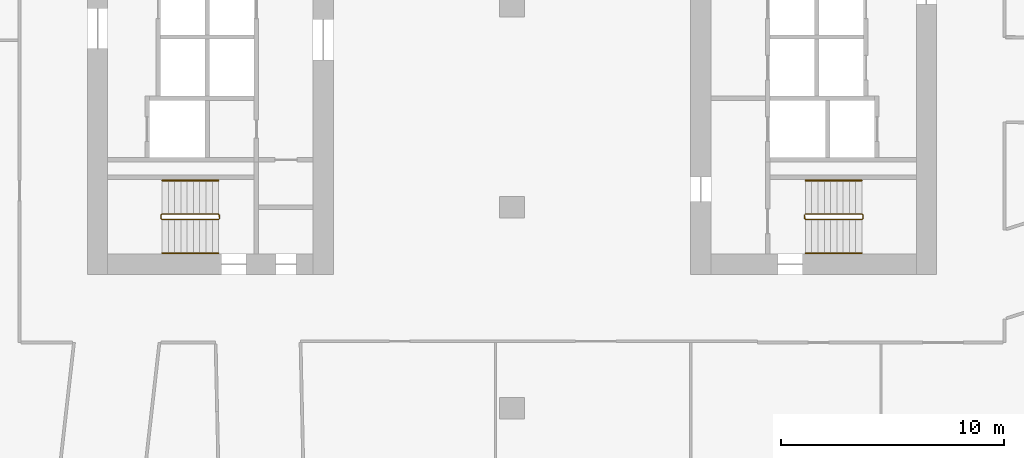
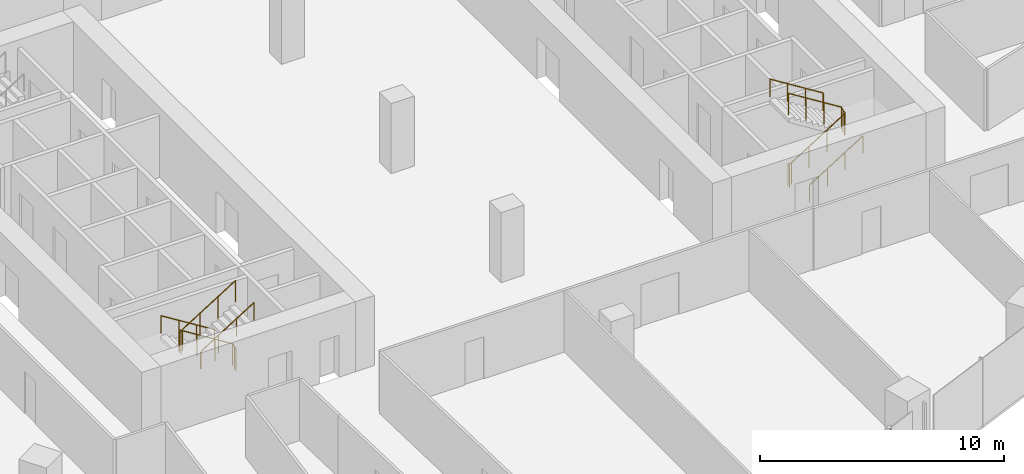
# One storey, part 32 of 34: 6 railings.
"""IFC4 building model written with IfcOpenShell, lengths in metres."""

from ifc_helpers import new_model, si_unit, direction, frame, origin, origin_2d, place, context, subcontext, project, spatial, circle, extrude, material, type_object, element, save


model = new_model("IFC4")

# Units and contexts
model_context = context("Model", 3, precision=1e-05, world=origin(), true_north=direction((0.0, 1.0)))
body_context = subcontext(model_context, "Body", "Model", "MODEL_VIEW")
ifc_project = project(units=[si_unit("LENGTHUNIT", "METRE"), si_unit("AREAUNIT", "SQUARE_METRE"), si_unit("VOLUMEUNIT", "CUBIC_METRE"), si_unit("PLANEANGLEUNIT", "RADIAN"), si_unit("MASSUNIT", "GRAM", prefix="KILO")], contexts=[model_context])

# Site, building, storey
site_placement = place(None, origin())
site = spatial("IfcSite", under=ifc_project, at=site_placement, CompositionType="ELEMENT")
building_placement = place(site_placement, origin())
building = spatial("IfcBuilding", under=site, at=building_placement, Name="Orlundy Tower", CompositionType="ELEMENT")
storey_placement = place(building_placement, frame((0.0, 0.0, 112.699951171875)))
storey = spatial("IfcBuildingStorey", under=building, at=storey_placement, Name="L28", CompositionType="ELEMENT", Elevation=112.699951171875)

# Railings
ifc_material_1 = material(Name="Steel balustrade", Category="steel")
railing_type_1 = type_object("IfcRailingType", Name="Stair Guard 1100", PredefinedType="GUARDRAIL", material=ifc_material_1)
railing_1_placement = place(storey_placement, frame((-13.090087890625, -9.35009765625, 0.0)))
element("IfcRailing", 1, at=railing_1_placement, inside=storey, type_object=railing_type_1, Name="L28 ST-W2 stair guard 1", PredefinedType="GUARDRAIL", context=body_context, shape_type="SweptSolid", body=[
    extrude(circle(Radius=0.02392578125, at=origin_2d()), frame((0.0, 0.0, 1.076171875), z_axis=(0.0, -1.0, 0.0), x_axis=(1.0, 0.0, 0.0)), (0.0, 0.0, 1.0), 0.14990234375),
    extrude(circle(Radius=0.02392578125, at=origin_2d()), frame((0.0, -0.14990234375, 1.076171875), z_axis=(-0.18420542264, 0.739530593833, 0.647427882513), x_axis=(-0.970351222016, -0.241699205484, 0.0)), (0.0, 0.0, 1.0), 0.270263671875),
    extrude(circle(Radius=0.02392578125, at=origin_2d()), frame((-0.0498046875, 0.050048828125, 1.2509765625), z_axis=(-0.848007534815, 0.0, 0.529984170421), x_axis=(0.0, -1.0, 0.0)), (0.0, 0.0, 1.0), 2.9716796875),
    extrude(circle(Radius=0.02392578125, at=origin_2d()), frame((-2.56982421875, 0.050048828125, 2.826171875), z_axis=(-0.707106781187, -0.707106781187, 0.0), x_axis=(0.707106781187, -0.707106781187, 0.0)), (0.0, 0.0, 1.0), 0.07080078125),
    extrude(circle(Radius=0.02392578125, at=origin_2d()), frame((-2.619873046875, 0.0, 2.826171875), z_axis=(0.0, -1.0, 0.0), x_axis=(1.0, 0.0, 0.0)), (0.0, 0.0, 1.0), 0.14990234375),
    extrude(circle(Radius=0.02392578125, at=origin_2d()), frame((-2.619873046875, -0.14990234375, 2.826171875), z_axis=(0.265065253269, -0.265065253269, 0.927081885822), x_axis=(0.707106781187, 0.707106781187, 0.0)), (0.0, 0.0, 1.0), 0.188720703125),
    extrude(circle(Radius=0.02392578125, at=origin_2d()), frame((-2.56982421875, -0.199951171875, 3.0009765625), z_axis=(0.848007534815, 0.0, 0.529984170421), x_axis=(0.0, 1.0, 0.0)), (0.0, 0.0, 1.0), 2.9716796875),
    extrude(circle(Radius=0.02099609375, at=origin_2d()), origin(), (0.0, 0.0, 1.0), 1.052001953125),
    extrude(circle(Radius=0.02099609375, at=origin_2d()), frame((0.0, -0.14990234375, 0.0)), (0.0, 0.0, 1.0), 1.052001953125),
    extrude(circle(Radius=0.02099609375, at=origin_2d()), frame((-0.0498046875, 0.050048828125, 0.175048828125)), (0.0, 0.0, 1.0), 1.052001953125),
    extrude(circle(Radius=0.02099609375, at=origin_2d()), frame((-0.889892578125, 0.050048828125, 0.699951171875)), (0.0, 0.0, 1.0), 1.052001953125),
    extrude(circle(Radius=0.02099609375, at=origin_2d()), frame((-1.729736328125, 0.050048828125, 1.22509765625)), (0.0, 0.0, 1.0), 1.052001953125),
    extrude(circle(Radius=0.02099609375, at=origin_2d()), frame((-2.56982421875, 0.050048828125, 1.75)), (0.0, 0.0, 1.0), 1.052001953125),
    extrude(circle(Radius=0.02099609375, at=origin_2d()), frame((-2.619873046875, 0.0, 1.75)), (0.0, 0.0, 1.0), 1.052001953125),
    extrude(circle(Radius=0.02099609375, at=origin_2d()), frame((-2.619873046875, -0.14990234375, 1.75)), (0.0, 0.0, 1.0), 1.052001953125),
    extrude(circle(Radius=0.02099609375, at=origin_2d()), frame((-2.56982421875, -0.199951171875, 1.925048828125)), (0.0, 0.0, 1.0), 1.052001953125),
    extrude(circle(Radius=0.02099609375, at=origin_2d()), frame((-1.729736328125, -0.199951171875, 2.449951171875)), (0.0, 0.0, 1.0), 1.052001953125),
    extrude(circle(Radius=0.02099609375, at=origin_2d()), frame((-0.889892578125, -0.199951171875, 2.97509765625)), (0.0, 0.0, 1.0), 1.052001953125),
    extrude(circle(Radius=0.02099609375, at=origin_2d()), frame((-0.0498046875, -0.199951171875, 3.5)), (0.0, 0.0, 1.0), 1.052001953125),
])
railing_2_placement = place(storey_placement, frame((13.090087890625, -9.5, 0.0)))
element("IfcRailing", 2, at=railing_2_placement, inside=storey, type_object=railing_type_1, Name="L28 ST-E1 stair guard 1", PredefinedType="GUARDRAIL", context=body_context, shape_type="SweptSolid", body=[
    extrude(circle(Radius=0.02392578125, at=origin_2d()), frame((0.0, 0.0, 1.076171875), z_axis=(0.0, 1.0, 0.0), x_axis=(-1.0, 0.0, 0.0)), (0.0, 0.0, 1.0), 0.14990234375),
    extrude(circle(Radius=0.02392578125, at=origin_2d()), frame((0.0, 0.14990234375, 1.076171875), z_axis=(0.18420542264, -0.739530593833, 0.647427882513), x_axis=(0.970351222016, 0.241699205484, 0.0)), (0.0, 0.0, 1.0), 0.270263671875),
    extrude(circle(Radius=0.02392578125, at=origin_2d()), frame((0.0498046875, -0.050048828125, 1.2509765625), z_axis=(0.848007534815, 0.0, 0.529984170421), x_axis=(0.0, 1.0, 0.0)), (0.0, 0.0, 1.0), 2.9716796875),
    extrude(circle(Radius=0.02392578125, at=origin_2d()), frame((2.56982421875, -0.050048828125, 2.826171875), z_axis=(0.707106781187, 0.707106781187, 0.0), x_axis=(-0.707106781187, 0.707106781187, 0.0)), (0.0, 0.0, 1.0), 0.07080078125),
    extrude(circle(Radius=0.02392578125, at=origin_2d()), frame((2.619873046875, 0.0, 2.826171875), z_axis=(0.0, 1.0, 0.0), x_axis=(-1.0, 0.0, 0.0)), (0.0, 0.0, 1.0), 0.14990234375),
    extrude(circle(Radius=0.02392578125, at=origin_2d()), frame((2.619873046875, 0.14990234375, 2.826171875), z_axis=(-0.265065253269, 0.265065253269, 0.927081885822), x_axis=(-0.707106781187, -0.707106781187, 0.0)), (0.0, 0.0, 1.0), 0.188720703125),
    extrude(circle(Radius=0.02392578125, at=origin_2d()), frame((2.56982421875, 0.199951171875, 3.0009765625), z_axis=(-0.848007534815, 0.0, 0.529984170421), x_axis=(0.0, -1.0, 0.0)), (0.0, 0.0, 1.0), 2.9716796875),
    extrude(circle(Radius=0.02099609375, at=origin_2d()), origin(), (0.0, 0.0, 1.0), 1.052001953125),
    extrude(circle(Radius=0.02099609375, at=origin_2d()), frame((0.0, 0.14990234375, 0.0)), (0.0, 0.0, 1.0), 1.052001953125),
    extrude(circle(Radius=0.02099609375, at=origin_2d()), frame((0.0498046875, -0.050048828125, 0.175048828125)), (0.0, 0.0, 1.0), 1.052001953125),
    extrude(circle(Radius=0.02099609375, at=origin_2d()), frame((0.889892578125, -0.050048828125, 0.699951171875)), (0.0, 0.0, 1.0), 1.052001953125),
    extrude(circle(Radius=0.02099609375, at=origin_2d()), frame((1.729736328125, -0.050048828125, 1.22509765625)), (0.0, 0.0, 1.0), 1.052001953125),
    extrude(circle(Radius=0.02099609375, at=origin_2d()), frame((2.56982421875, -0.050048828125, 1.75)), (0.0, 0.0, 1.0), 1.052001953125),
    extrude(circle(Radius=0.02099609375, at=origin_2d()), frame((2.619873046875, 0.0, 1.75)), (0.0, 0.0, 1.0), 1.052001953125),
    extrude(circle(Radius=0.02099609375, at=origin_2d()), frame((2.619873046875, 0.14990234375, 1.75)), (0.0, 0.0, 1.0), 1.052001953125),
    extrude(circle(Radius=0.02099609375, at=origin_2d()), frame((2.56982421875, 0.199951171875, 1.925048828125)), (0.0, 0.0, 1.0), 1.052001953125),
    extrude(circle(Radius=0.02099609375, at=origin_2d()), frame((1.729736328125, 0.199951171875, 2.449951171875)), (0.0, 0.0, 1.0), 1.052001953125),
    extrude(circle(Radius=0.02099609375, at=origin_2d()), frame((0.889892578125, 0.199951171875, 2.97509765625)), (0.0, 0.0, 1.0), 1.052001953125),
    extrude(circle(Radius=0.02099609375, at=origin_2d()), frame((0.0498046875, 0.199951171875, 3.5)), (0.0, 0.0, 1.0), 1.052001953125),
])
ifc_material_2 = material(Name="Steel handrail", Category="steel")
railing_type_2 = type_object("IfcRailingType", Name="Stair Handrail 900", PredefinedType="HANDRAIL", material=ifc_material_2)
railing_3_placement = place(storey_placement, frame((-13.139892578125, -7.800048828125, 0.175048828125)))
element("IfcRailing", 3, at=railing_3_placement, inside=storey, type_object=railing_type_2, Name="L28 ST-W2 stair handrail 1", PredefinedType="HANDRAIL", context=body_context, shape_type="SweptSolid", body=[
    extrude(circle(Radius=0.02392578125, at=origin_2d()), frame((0.0, 0.0, 0.8759765625), z_axis=(-0.848007534815, 0.0, 0.529984170421), x_axis=(0.0, -1.0, 0.0)), (0.0, 0.0, 1.0), 2.9716796875),
    extrude(circle(Radius=0.02099609375, at=origin_2d()), origin(), (0.0, 0.0, 1.0), 0.851806640625),
    extrude(circle(Radius=0.02099609375, at=origin_2d()), frame((-0.840087890625, 0.0, 0.52490234375)), (0.0, 0.0, 1.0), 0.851806640625),
    extrude(circle(Radius=0.02099609375, at=origin_2d()), frame((-1.679931640625, 0.0, 1.050048828125)), (0.0, 0.0, 1.0), 0.851806640625),
    extrude(circle(Radius=0.02099609375, at=origin_2d()), frame((-2.52001953125, 0.0, 1.574951171875)), (0.0, 0.0, 1.0), 0.851806640625),
])
for number, where, name in (
    (4, (-15.659912109375, -11.050048828125, 1.925048828125), "L28 ST-W2 stair handrail 2"),
    (5, (13.139892578125, -11.050048828125, 0.175048828125), "L28 ST-E1 stair handrail 1"),
):
    element("IfcRailing", number, at=place(storey_placement, frame(where)), inside=storey, type_object=railing_type_2, Name=name, PredefinedType="HANDRAIL", context=body_context, shape_type="SweptSolid", body=[
        extrude(circle(Radius=0.02392578125, at=origin_2d()), frame((0.0, 0.0, 0.8759765625), z_axis=(0.848007534815, 0.0, 0.529984170421), x_axis=(0.0, 1.0, 0.0)), (0.0, 0.0, 1.0), 2.9716796875),
        extrude(circle(Radius=0.02099609375, at=origin_2d()), origin(), (0.0, 0.0, 1.0), 0.851806640625),
        extrude(circle(Radius=0.02099609375, at=origin_2d()), frame((0.840087890625, 0.0, 0.52490234375)), (0.0, 0.0, 1.0), 0.851806640625),
        extrude(circle(Radius=0.02099609375, at=origin_2d()), frame((1.679931640625, 0.0, 1.050048828125)), (0.0, 0.0, 1.0), 0.851806640625),
        extrude(circle(Radius=0.02099609375, at=origin_2d()), frame((2.52001953125, 0.0, 1.574951171875)), (0.0, 0.0, 1.0), 0.851806640625),
    ])
railing_4_placement = place(storey_placement, frame((15.659912109375, -7.800048828125, 1.925048828125)))
element("IfcRailing", 6, at=railing_4_placement, inside=storey, type_object=railing_type_2, Name="L28 ST-E1 stair handrail 2", PredefinedType="HANDRAIL", context=body_context, shape_type="SweptSolid", body=[
    extrude(circle(Radius=0.02392578125, at=origin_2d()), frame((0.0, 0.0, 0.8759765625), z_axis=(-0.848007534815, 0.0, 0.529984170421), x_axis=(0.0, -1.0, 0.0)), (0.0, 0.0, 1.0), 2.9716796875),
    extrude(circle(Radius=0.02099609375, at=origin_2d()), origin(), (0.0, 0.0, 1.0), 0.851806640625),
    extrude(circle(Radius=0.02099609375, at=origin_2d()), frame((-0.840087890625, 0.0, 0.52490234375)), (0.0, 0.0, 1.0), 0.851806640625),
    extrude(circle(Radius=0.02099609375, at=origin_2d()), frame((-1.679931640625, 0.0, 1.050048828125)), (0.0, 0.0, 1.0), 0.851806640625),
    extrude(circle(Radius=0.02099609375, at=origin_2d()), frame((-2.52001953125, 0.0, 1.574951171875)), (0.0, 0.0, 1.0), 0.851806640625),
])

save(model, "model.ifc")
